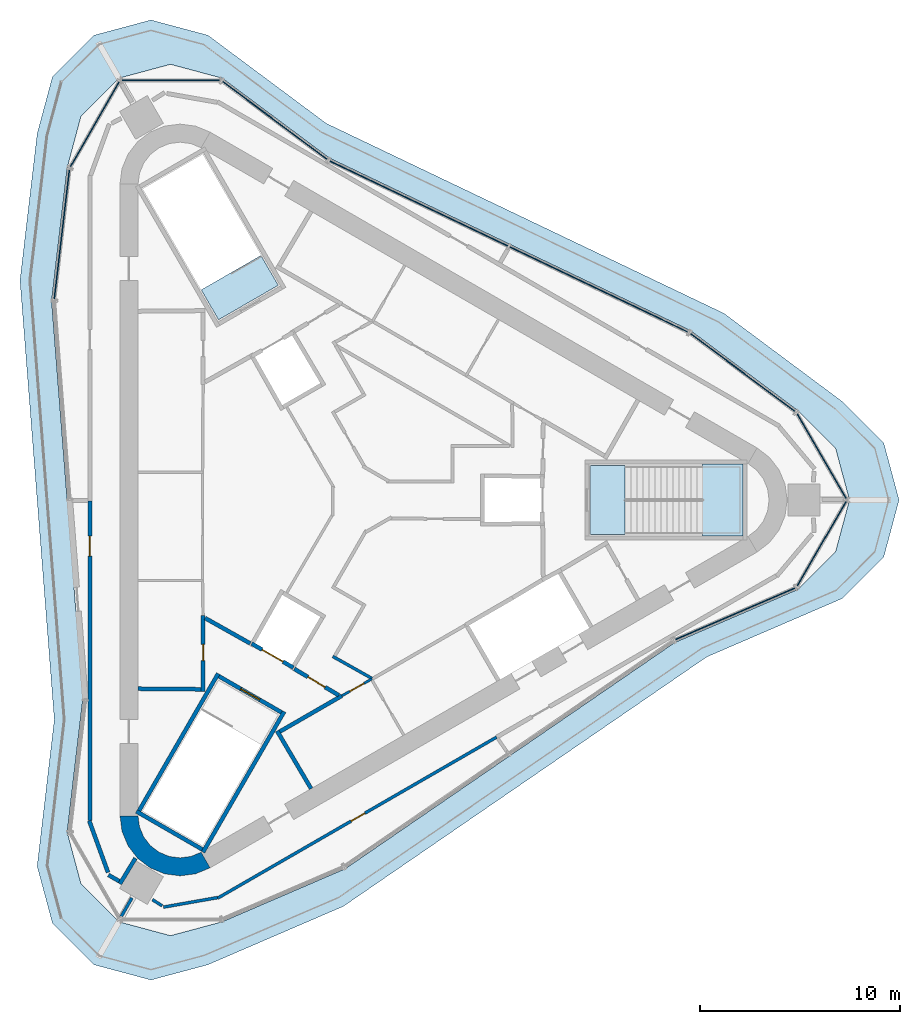
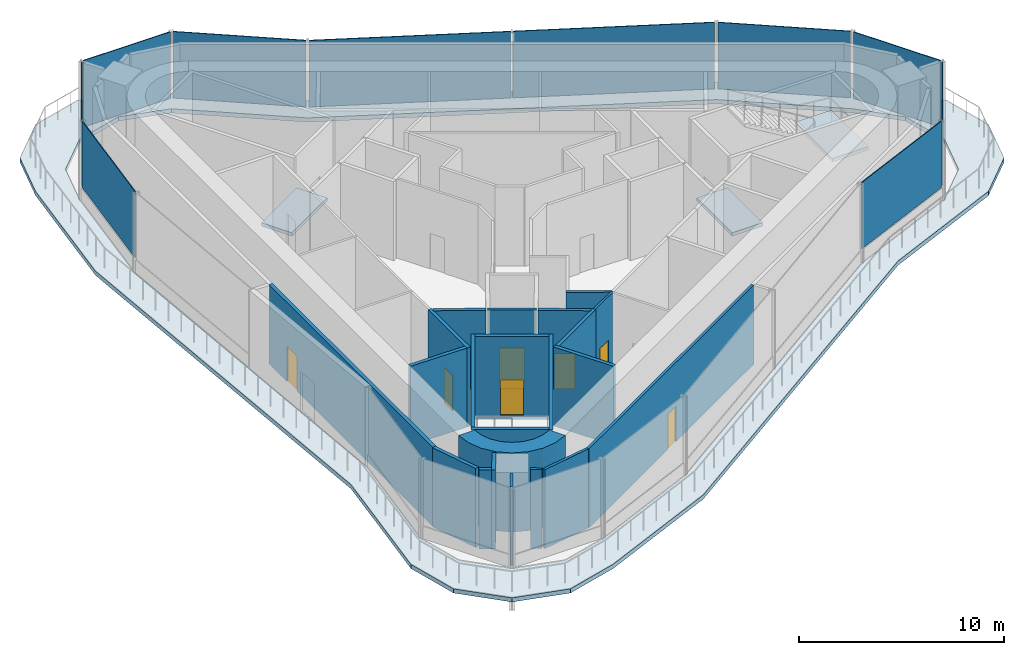
# One storey, part 3 of 8: 22 walls, 10 plates, 7 doors, 4 slabs, 7 openings, 10 elements without a shape of their own.
"""IFC4 building model written with IfcOpenShell, lengths in metres."""

from ifc_helpers import new_model, si_unit, direction, frame, frame_2d, origin, origin_2d, place, context, subcontext, project, spatial, polyline, rectangle, outline, extrude, material, layer, layer_set, type_object, element, fill, aggregate, save


model = new_model("IFC4")

# Units and contexts
model_context = context("Model", 3, precision=1e-05, world=origin(), true_north=direction((0.0, 1.0)))
body_context = subcontext(model_context, "Body", "Model", "MODEL_VIEW")
ifc_project = project(units=[si_unit("LENGTHUNIT", "METRE"), si_unit("AREAUNIT", "SQUARE_METRE"), si_unit("VOLUMEUNIT", "CUBIC_METRE"), si_unit("PLANEANGLEUNIT", "RADIAN"), si_unit("MASSUNIT", "GRAM", prefix="KILO")], contexts=[model_context])

# Site, building, storey
site_placement = place(None, origin())
site = spatial("IfcSite", under=ifc_project, at=site_placement, CompositionType="ELEMENT")
building_placement = place(site_placement, origin())
building = spatial("IfcBuilding", under=site, at=building_placement, Name="Tanit Gate Tower", CompositionType="ELEMENT")
storey_placement = place(building_placement, frame((0.0, 0.0, 440.300048828125)))
storey = spatial("IfcBuildingStorey", under=building, at=storey_placement, Name="L99", CompositionType="ELEMENT", Elevation=440.300048828125)

# Stair, slab
ifc_material_1 = material(Name="Concrete C40/50", Category="concrete")
stair_type = type_object("IfcStairType", Name="INT-STAIR-EXIT", PredefinedType="HALF_TURN_STAIR", material=ifc_material_1)
stair_placement = place(storey_placement, origin())
stair = element("IfcStair", 1, at=stair_placement, inside=storey, type_object=stair_type, Name="L99 STAIR S1", PredefinedType="HALF_TURN_STAIR")
ifc_material_2 = material(Name="Concrete C40/50", Category="concrete")
ifc_layer_1 = layer(ifc_material_2, 0.199951171875)
ifc_layer_set_1 = layer_set([ifc_layer_1], Name="INT-STAIR-LANDING")
slab_type_1 = type_object("IfcSlabType", Name="INT-STAIR-LANDING", PredefinedType="LANDING", material=ifc_layer_set_1)
slab_1_placement = place(storey_placement, frame((0.0, 0.0, 2.300048828125)))
slab_1 = element("IfcSlab", 2, at=slab_1_placement, type_object=slab_type_1, Name="S1 landing 1", PredefinedType="LANDING", context=body_context, shape_type="SweptSolid", body=[
    extrude(outline(polyline([(16.985107421875, -1.800048828125), (19.0, -1.800048828125), (19.0, 1.800048828125), (16.985107421875, 1.800048828125), (16.985107421875, -1.800048828125)])), origin(), (0.0, 0.0, 1.0), 0.199951171875),
])
aggregate(stair, [slab_1])

# Slabs
slab_2_placement = place(storey_placement, frame((0.0, 0.0, -0.199951171875)))
element("IfcSlab", 3, at=slab_2_placement, inside=storey, type_object=slab_type_1, Name="S1 floor landing", PredefinedType="LANDING", context=body_context, shape_type="SweptSolid", body=[
    extrude(outline(polyline([(11.3798828125, -1.719970703125), (13.10498046875, -1.719970703125), (13.10498046875, 1.719970703125), (11.3798828125, 1.719970703125), (11.3798828125, -1.719970703125)])), origin(), (0.0, 0.0, 1.0), 0.199951171875),
])
slab_3_placement = place(storey_placement, frame((0.0, 0.0, -0.199951171875)))
element("IfcSlab", 4, at=slab_3_placement, inside=storey, type_object=slab_type_1, Name="S2 floor landing", PredefinedType="LANDING", context=body_context, shape_type="SweptSolid", body=[
    extrude(outline(polyline([(-4.200439453125, 10.71533203125), (-5.0625, 12.20849609375), (-8.04150390625, 10.48828125), (-7.179443359375, 8.995361328125), (-4.200439453125, 10.71533203125)])), origin(), (0.0, 0.0, 1.0), 0.199951171875),
])

# Curtain wall, plate
ifc_material_3 = material(Name="Aluminium bronze anodised and glass", Category="aluminium")
curtain_wall_type = type_object("IfcCurtainWallType", Name="Curtain wall plant screen", PredefinedType="NOTDEFINED", material=ifc_material_3)
curtain_wall_1_placement = place(storey_placement, origin())
curtain_wall_1 = element("IfcCurtainWall", 5, at=curtain_wall_1_placement, inside=storey, type_object=curtain_wall_type, Name="Curtain wall L99 NE1", PredefinedType="NOTDEFINED")
ifc_material_4 = material(Name="Aluminium bronze anodised louvre", Category="aluminium")
ifc_layer_2 = layer(ifc_material_4, 0.050048828125)
ifc_layer_set_2 = layer_set([ifc_layer_2], Name="Louvre panel 50 plant screen")
plate_type = type_object("IfcPlateType", Name="Louvre panel 50 plant screen", PredefinedType="CURTAIN_PANEL", material=ifc_layer_set_2)
plate_1_placement = place(storey_placement, frame((18.9833984375, 6.3642578125, 0.75), z_axis=(0.0, 0.0, 1.0), x_axis=(-0.801987717098, 0.59734052401, 0.0)))
plate_1 = element("IfcPlate", 6, at=plate_1_placement, type_object=plate_type, Name="Louvre panel L99 NE1.1", PredefinedType="CURTAIN_PANEL", context=body_context, shape_type="SweptSolid", body=[
    extrude(rectangle(XDim=6.5, YDim=0.050048828125, at=origin_2d()), origin(), (0.0, 0.0, 1.0), 3.949951171875),
])
aggregate(curtain_wall_1, [plate_1])

# Curtain wall, plates
curtain_wall_2_placement = place(storey_placement, origin())
curtain_wall_2 = element("IfcCurtainWall", 7, at=curtain_wall_2_placement, inside=storey, type_object=curtain_wall_type, Name="Curtain wall L99 NE2", PredefinedType="NOTDEFINED")
plate_2_placement = place(storey_placement, frame((11.79052734375, 10.513671875, 0.75), z_axis=(0.0, 0.0, 1.0), x_axis=(-0.902317145415, 0.431072811819, 0.0)))
plate_2 = element("IfcPlate", 8, at=plate_2_placement, type_object=plate_type, Name="Louvre panel L99 NE2.1", PredefinedType="CURTAIN_PANEL", context=body_context, shape_type="SweptSolid", body=[
    extrude(rectangle(XDim=9.863037109375, YDim=0.050048828125, at=origin_2d()), origin(), (0.0, 0.0, 1.0), 3.949951171875),
])
plate_3_placement = place(storey_placement, frame((2.81884765625, 14.7998046875, 0.75), z_axis=(0.0, 0.0, 1.0), x_axis=(-0.902317145415, 0.431072811819, 0.0)))
plate_3 = element("IfcPlate", 9, at=plate_3_placement, type_object=plate_type, Name="Louvre panel L99 NE2.2", PredefinedType="CURTAIN_PANEL", context=body_context, shape_type="SweptSolid", body=[
    extrude(rectangle(XDim=9.863037109375, YDim=0.050048828125, at=origin_2d()), origin(), (0.0, 0.0, 1.0), 3.949951171875),
])
aggregate(curtain_wall_2, [plate_2, plate_3])

# Curtain wall, plate
curtain_wall_3_placement = place(storey_placement, origin())
curtain_wall_3 = element("IfcCurtainWall", 10, at=curtain_wall_3_placement, inside=storey, type_object=curtain_wall_type, Name="Curtain wall L99 NE3", PredefinedType="NOTDEFINED")
plate_4_placement = place(storey_placement, frame((-4.37744140625, 18.9521484375, 0.75), z_axis=(0.0, 0.0, 1.0), x_axis=(-0.801987717098, 0.59734052401, 0.0)))
plate_4 = element("IfcPlate", 11, at=plate_4_placement, type_object=plate_type, Name="Louvre panel L99 NE3.1", PredefinedType="CURTAIN_PANEL", context=body_context, shape_type="SweptSolid", body=[
    extrude(rectangle(XDim=6.50927734375, YDim=0.050048828125, at=origin_2d()), origin(), (0.0, 0.0, 1.0), 3.949951171875),
])
aggregate(curtain_wall_3, [plate_4])

curtain_wall_4_placement = place(storey_placement, origin())
curtain_wall_4 = element("IfcCurtainWall", 12, at=curtain_wall_4_placement, inside=storey, type_object=curtain_wall_type, Name="Curtain wall L99 NW.arc1", PredefinedType="NOTDEFINED")
plate_5_placement = place(storey_placement, frame((-9.57275390625, 20.9453125, 0.75), z_axis=(0.0, 0.0, 1.0), x_axis=(-0.99999988904, 0.000471083302, 0.0)))
plate_5 = element("IfcPlate", 13, at=plate_5_placement, type_object=plate_type, Name="Louvre panel L99 NW.arc1.1", PredefinedType="CURTAIN_PANEL", context=body_context, shape_type="SweptSolid", body=[
    extrude(rectangle(XDim=4.881591796875, YDim=0.050048828125, at=origin_2d()), origin(), (0.0, 0.0, 1.0), 3.949951171875),
])
aggregate(curtain_wall_4, [plate_5])

curtain_wall_5_placement = place(storey_placement, origin())
curtain_wall_5 = element("IfcCurtainWall", 14, at=curtain_wall_5_placement, inside=storey, type_object=curtain_wall_type, Name="Curtain wall L99 NW.arc2", PredefinedType="NOTDEFINED")
plate_6_placement = place(storey_placement, frame((-13.354736328125, 18.755859375, 0.75), z_axis=(0.0, 0.0, 1.0), x_axis=(-0.498960988441, -0.866624446929, 0.0)))
plate_6 = element("IfcPlate", 15, at=plate_6_placement, type_object=plate_type, Name="Louvre panel L99 NW.arc2.1", PredefinedType="CURTAIN_PANEL", context=body_context, shape_type="SweptSolid", body=[
    extrude(rectangle(XDim=4.895263671875, YDim=0.050048828125, at=origin_2d()), origin(), (0.0, 0.0, 1.0), 3.949951171875),
])
aggregate(curtain_wall_5, [plate_6])

curtain_wall_6_placement = place(storey_placement, origin())
curtain_wall_6 = element("IfcCurtainWall", 16, at=curtain_wall_6_placement, inside=storey, type_object=curtain_wall_type, Name="Curtain wall L99 W1", PredefinedType="NOTDEFINED")
plate_7_placement = place(storey_placement, frame((-15.003173828125, 13.2578125, 0.75), z_axis=(0.0, 0.0, 1.0), x_axis=(-0.116318209953, -0.993211998535, 0.0)))
plate_7 = element("IfcPlate", 17, at=plate_7_placement, type_object=plate_type, Name="Louvre panel L99 W1.1", PredefinedType="CURTAIN_PANEL", context=body_context, shape_type="SweptSolid", body=[
    extrude(rectangle(XDim=6.5, YDim=0.050048828125, at=origin_2d()), origin(), (0.0, 0.0, 1.0), 3.949951171875),
])
aggregate(curtain_wall_6, [plate_7])

curtain_wall_7_placement = place(storey_placement, origin())
curtain_wall_7 = element("IfcCurtainWall", 18, at=curtain_wall_7_placement, inside=storey, type_object=curtain_wall_type, Name="Curtain wall L99 SE3", PredefinedType="NOTDEFINED")
plate_8_placement = place(storey_placement, frame((18.601806640625, -5.68505859375, 0.75), z_axis=(0.0, 0.0, 1.0), x_axis=(0.918305927051, 0.395871474525, 0.0)))
plate_8 = element("IfcPlate", 19, at=plate_8_placement, type_object=plate_type, Name="Louvre panel L99 SE3.1", PredefinedType="CURTAIN_PANEL", context=body_context, shape_type="SweptSolid", body=[
    extrude(rectangle(XDim=6.50927734375, YDim=0.050048828125, at=origin_2d()), origin(), (0.0, 0.0, 1.0), 3.949951171875),
])
aggregate(curtain_wall_7, [plate_8])

curtain_wall_8_placement = place(storey_placement, origin())
curtain_wall_8 = element("IfcCurtainWall", 20, at=curtain_wall_8_placement, inside=storey, type_object=curtain_wall_type, Name="Curtain wall L99 E.arc1", PredefinedType="NOTDEFINED")
plate_9_placement = place(storey_placement, frame((22.925537109375, -2.182373046875, 0.75), z_axis=(0.0, 0.0, 1.0), x_axis=(0.500407914627, 0.865789766039, 0.0)))
plate_9 = element("IfcPlate", 21, at=plate_9_placement, type_object=plate_type, Name="Louvre panel L99 E.arc1.1", PredefinedType="CURTAIN_PANEL", context=body_context, shape_type="SweptSolid", body=[
    extrude(rectangle(XDim=4.881591796875, YDim=0.050048828125, at=origin_2d()), origin(), (0.0, 0.0, 1.0), 3.949951171875),
])
aggregate(curtain_wall_8, [plate_9])

curtain_wall_9_placement = place(storey_placement, origin())
curtain_wall_9 = element("IfcCurtainWall", 22, at=curtain_wall_9_placement, inside=storey, type_object=curtain_wall_type, Name="Curtain wall L99 E.arc2", PredefinedType="NOTDEFINED")
plate_10_placement = place(storey_placement, frame((22.92041015625, 2.1875, 0.75), z_axis=(0.0, 0.0, 1.0), x_axis=(-0.50103829236, 0.865425114951, 0.0)))
plate_10 = element("IfcPlate", 23, at=plate_10_placement, type_object=plate_type, Name="Louvre panel L99 E.arc2.1", PredefinedType="CURTAIN_PANEL", context=body_context, shape_type="SweptSolid", body=[
    extrude(rectangle(XDim=4.895263671875, YDim=0.050048828125, at=origin_2d()), origin(), (0.0, 0.0, 1.0), 3.949951171875),
])
aggregate(curtain_wall_9, [plate_10])

# Slab
ifc_material_5 = material(Name="Concrete C35/45", Category="concrete")
ifc_layer_3 = layer(ifc_material_5, 0.25)
ifc_layer_set_3 = layer_set([ifc_layer_3], Name="TERRACE SLAB 250 C35/45")
slab_type_2 = type_object("IfcSlabType", Name="TERRACE SLAB 250 C35/45", PredefinedType="FLOOR", material=ifc_layer_set_3)
slab_4_placement = place(storey_placement, frame((0.0, 0.0, -0.25)))
element("IfcSlab", 24, at=slab_4_placement, inside=storey, type_object=slab_type_2, Name="TERRACE SLAB L99", PredefinedType="FLOOR", context=body_context, shape_type="SweptSolid", body=[
    extrude(outline(polyline([(26.02490234375, 2.8408203125), (26.7861328125, 0.0), (26.02490234375, -2.8408203125), (23.945068359375, -4.920654296875), (17.185791015625, -7.83447265625), (-0.951904296875, -20.283447265625), (-7.711181640625, -23.197509765625), (-10.552001953125, -23.95849609375), (-13.39306640625, -23.197509765625), (-15.47265625, -21.11767578125), (-16.23388671875, -18.276611328125), (-15.377685546875, -10.966064453125), (-17.090087890625, 10.966064453125), (-16.23388671875, 18.276611328125), (-15.47265625, 21.11767578125), (-13.39306640625, 23.197509765625), (-10.552001953125, 23.95849609375), (-7.711181640625, 23.197509765625), (-1.80810546875, 18.800537109375), (18.0419921875, 9.3173828125), (23.945068359375, 4.920654296875), (26.02490234375, 2.8408203125)]), holes=[polyline([(16.375, 8.45654296875), (-1.640869140625, 17.0634765625), (-6.99853515625, 21.053955078125), (-9.5771484375, 21.744873046875), (-12.155517578125, 21.053955078125), (-14.043212890625, 19.16650390625), (-14.73388671875, 16.587890625), (-15.510986328125, 9.952880859375), (-13.956787109375, -9.952880859375), (-14.73388671875, -16.587890625), (-14.043212890625, -19.16650390625), (-12.155517578125, -21.053955078125), (-9.5771484375, -21.744873046875), (-6.99853515625, -21.053955078125), (-0.864013671875, -18.409423828125), (15.597900390625, -7.110595703125), (21.732666015625, -4.466064453125), (23.6201171875, -2.578369140625), (24.31103515625, 0.0), (23.6201171875, 2.578369140625), (21.732666015625, 4.466064453125), (16.375, 8.45654296875)])]), origin(), (0.0, 0.0, 1.0), 0.25),
])

# Wall
ifc_material_6 = material(Name="Concrete C40/50", Category="concrete")
ifc_layer_4 = layer(ifc_material_6, 0.89990234375)
ifc_layer_set_4 = layer_set([ifc_layer_4], Name="CORE WALL 900 C40/50")
wall_type_1 = type_object("IfcWallType", Name="CORE WALL 900 C40/50", PredefinedType="SHEAR", material=ifc_layer_set_4)
wall_1_placement = place(storey_placement, origin())
element("IfcWall", 25, at=wall_1_placement, inside=storey, type_object=wall_type_1, Name="CORE WALL CORNER", PredefinedType="SHEAR", context=body_context, shape_type="SweptSolid", body=[
    extrude(outline(polyline([(-12.10009765625, -15.76171875), (-11.997802734375, -16.5380859375), (-11.697998046875, -17.26171875), (-11.22119140625, -17.883056640625), (-10.60009765625, -18.359619140625), (-9.87646484375, -18.659423828125), (-9.10009765625, -18.76171875), (-8.323486328125, -18.659423828125), (-7.60009765625, -18.359619140625), (-8.050048828125, -17.580322265625), (-8.556396484375, -17.7900390625), (-9.10009765625, -17.86181640625), (-9.6435546875, -17.7900390625), (-10.14990234375, -17.580322265625), (-10.5849609375, -17.24658203125), (-10.918701171875, -16.811767578125), (-11.12841796875, -16.30517578125), (-11.199951171875, -15.76171875), (-12.10009765625, -15.76171875)])), origin(), (0.0, 0.0, 1.0), 4.699951171875),
])

# Wall, opening, door
ifc_material_7 = material(Name="Fire-rated gypsum board partition")
ifc_layer_5 = layer(ifc_material_7, 0.199951171875)
ifc_layer_set_5 = layer_set([ifc_layer_5], Name="INT-WALL-COMPARTMENT")
wall_type_2 = type_object("IfcWallType", Name="INT-WALL-COMPARTMENT", PredefinedType="PARTITIONING", material=ifc_layer_set_5)
wall_2_placement = place(storey_placement, frame((-7.949951171875, -9.550048828125, 0.0), z_axis=(0.0, 0.0, 1.0), x_axis=(0.0, 1.0, 0.0)))
wall_2 = element("IfcWall", 26, at=wall_2_placement, inside=storey, type_object=wall_type_2, Name="Wall Compartment W039", PredefinedType="PARTITIONING", context=body_context, shape_type="SweptSolid", body=[
    extrude(rectangle(XDim=3.777587890625, YDim=0.199951171875, at=frame_2d((1.888671875, 0.0))), origin(), (0.0, 0.0, 1.0), 4.699951171875),
])
opening_1_placement = place(wall_2_placement, frame((1.538818359375, 0.0, 0.0)))
opening_1 = element("IfcOpeningElement", 27, at=opening_1_placement, cuts=wall_2, Name="Opening R08-99-16", PredefinedType="OPENING", context=body_context, shape_type="SweptSolid", body=[
    extrude(rectangle(XDim=0.800048828125, YDim=2.10009765625, at=frame_2d((0.39990234375, 1.050048828125))), frame((0.0, 0.10986328125, 0.0), z_axis=(0.0, -1.0, 0.0), x_axis=(1.0, 0.0, 0.0)), (0.0, 0.0, 1.0), 0.219970703125),
])
ifc_material_8 = material(Name="Timber door leaf", Category="wood")
door_type_1 = type_object("IfcDoorType", Name="INT-DOOR-RISER-800", OperationType="NOTDEFINED", PredefinedType="USERDEFINED", material=ifc_material_8)
door_1_placement = place(opening_1_placement, origin())
door_1 = element("IfcDoor", 28, at=door_1_placement, inside=storey, type_object=door_type_1, Name="Door R08-99-16", ObjectType="FIRE DOOR", OperationType="SINGLE_SWING_LEFT", OverallHeight=2.10009765625, OverallWidth=0.800048828125, PredefinedType="USERDEFINED", context=body_context, shape_type="SweptSolid", body=[
    extrude(rectangle(XDim=0.800048828125, YDim=2.10009765625, at=frame_2d((0.39990234375, 1.050048828125))), frame((0.0, 0.02490234375, 0.0), z_axis=(0.0, -1.0, 0.0), x_axis=(1.0, 0.0, 0.0)), (0.0, 0.0, 1.0), 0.050048828125),
])
fill(opening_1, door_1)

# Walls
wall_3_placement = place(storey_placement, frame((-11.199951171875, -9.419921875, 0.0), z_axis=(0.0, 0.0, 1.0), x_axis=(0.999957467379, -0.009222983926, 0.0)))
element("IfcWall", 29, at=wall_3_placement, inside=storey, type_object=wall_type_2, Name="Wall Compartment W040", PredefinedType="PARTITIONING", context=body_context, shape_type="SweptSolid", body=[
    extrude(rectangle(XDim=3.150146484375, YDim=0.199951171875, at=frame_2d((1.5751953125, 0.0))), origin(), (0.0, 0.0, 1.0), 4.699951171875),
])
wall_4_placement = place(storey_placement, frame((-4.259765625, -11.523681640625, 0.0), z_axis=(0.0, 0.0, 1.0), x_axis=(0.507997497166, -0.861358544901, 0.0)))
element("IfcWall", 30, at=wall_4_placement, inside=storey, type_object=wall_type_2, Name="Wall Compartment W053", PredefinedType="PARTITIONING", context=body_context, shape_type="SweptSolid", body=[
    extrude(rectangle(XDim=3.350341796875, YDim=0.199951171875, at=frame_2d((1.67529296875, 0.0))), origin(), (0.0, 0.0, 1.0), 4.699951171875),
])
wall_5_placement = place(storey_placement, frame((-1.02392578125, -9.77099609375, 0.0), z_axis=(0.0, 0.0, 1.0), x_axis=(-0.866029903013, -0.499992207027, 0.0)))
element("IfcWall", 31, at=wall_5_placement, inside=storey, type_object=wall_type_2, Name="Wall Compartment W054", PredefinedType="PARTITIONING", context=body_context, shape_type="SweptSolid", body=[
    extrude(rectangle(XDim=3.57763671875, YDim=0.199951171875, at=frame_2d((1.788818359375, 0.0))), origin(), (0.0, 0.0, 1.0), 4.699951171875),
])
wall_6_placement = place(storey_placement, frame((-7.85009765625, -5.893310546875, 0.0), z_axis=(0.0, 0.0, 1.0), x_axis=(0.871350695252, -0.490660744185, 0.0)))
element("IfcWall", 32, at=wall_6_placement, inside=storey, type_object=wall_type_2, Name="Wall Compartment W063", PredefinedType="PARTITIONING", context=body_context, shape_type="SweptSolid", body=[
    extrude(rectangle(XDim=2.58203125, YDim=0.199951171875, at=frame_2d((1.291015625, 0.0))), origin(), (0.0, 0.0, 1.0), 4.699951171875),
])

# Wall, opening, door
wall_7_placement = place(storey_placement, frame((-3.400634765625, -8.43017578125, 0.0), z_axis=(0.0, 0.0, 1.0), x_axis=(0.860630814782, -0.509229418482, 0.0)))
wall_7 = element("IfcWall", 33, at=wall_7_placement, inside=storey, type_object=wall_type_2, Name="Wall Compartment W064", PredefinedType="PARTITIONING", context=body_context, shape_type="SweptSolid", body=[
    extrude(rectangle(XDim=2.581787109375, YDim=0.199951171875, at=frame_2d((1.291015625, 0.0))), origin(), (0.0, 0.0, 1.0), 4.699951171875),
])
opening_2_placement = place(wall_7_placement, frame((0.791015625, 0.0, 0.0)))
opening_2 = element("IfcOpeningElement", 34, at=opening_2_placement, cuts=wall_7, Name="Opening F10-99-08", PredefinedType="OPENING", context=body_context, shape_type="SweptSolid", body=[
    extrude(rectangle(XDim=1.0, YDim=2.10009765625, at=frame_2d((0.5, 1.050048828125))), frame((0.0, 0.10986328125, 0.0), z_axis=(0.0, -1.0, 0.0), x_axis=(1.0, 0.0, 0.0)), (0.0, 0.0, 1.0), 0.219970703125),
])
ifc_material_9 = material(Name="Fire-rated steel door leaf", Category="steel")
door_type_2 = type_object("IfcDoorType", Name="INT-DOOR-FIRE-1000", OperationType="NOTDEFINED", PredefinedType="USERDEFINED", material=ifc_material_9)
door_2_placement = place(opening_2_placement, origin())
door_2 = element("IfcDoor", 35, at=door_2_placement, inside=storey, type_object=door_type_2, Name="Door F10-99-08", ObjectType="FIRE DOOR", OperationType="SINGLE_SWING_LEFT", OverallHeight=2.10009765625, OverallWidth=1.0, PredefinedType="USERDEFINED", context=body_context, shape_type="SweptSolid", body=[
    extrude(rectangle(XDim=1.0, YDim=2.10009765625, at=frame_2d((0.5, 1.050048828125))), frame((0.0, 0.02490234375, 0.0), z_axis=(0.0, -1.0, 0.0), x_axis=(1.0, 0.0, 0.0)), (0.0, 0.0, 1.0), 0.050048828125),
])
fill(opening_2, door_2)

# Walls
wall_8_placement = place(storey_placement, frame((-12.104248046875, -19.1611328125, 0.0), z_axis=(0.0, 0.0, 1.0), x_axis=(0.518475368733, 0.855092563421, 0.0)))
element("IfcWall", 36, at=wall_8_placement, inside=storey, type_object=wall_type_2, Name="Wall Compartment W086", PredefinedType="PARTITIONING", context=body_context, shape_type="SweptSolid", body=[
    extrude(rectangle(XDim=1.49560546875, YDim=0.199951171875, at=frame_2d((0.747802734375, 0.0))), origin(), (0.0, 0.0, 1.0), 4.699951171875),
])
wall_9_placement = place(storey_placement, frame((-12.674560546875, -18.716552734375, 0.0), z_axis=(0.0, 0.0, 1.0), x_axis=(0.866047486323, -0.49996174997, 0.0)))
element("IfcWall", 37, at=wall_9_placement, inside=storey, type_object=wall_type_2, Name="Wall Compartment W087", PredefinedType="PARTITIONING", context=body_context, shape_type="SweptSolid", body=[
    extrude(rectangle(XDim=0.6181640625, YDim=0.199951171875, at=frame_2d((0.30908203125, 0.0))), origin(), (0.0, 0.0, 1.0), 4.699951171875),
])
wall_10_placement = place(storey_placement, frame((-13.63427734375, -16.011474609375, 0.0), z_axis=(0.0, 0.0, 1.0), x_axis=(0.342043269434, -0.939684203248, 0.0)))
element("IfcWall", 38, at=wall_10_placement, inside=storey, type_object=wall_type_2, Name="Wall Compartment W088", PredefinedType="PARTITIONING", context=body_context, shape_type="SweptSolid", body=[
    extrude(rectangle(XDim=2.7421875, YDim=0.199951171875, at=frame_2d((1.37109375, 0.0))), origin(), (0.0, 0.0, 1.0), 4.699951171875),
])

# Wall, opening, door
wall_11_placement = place(storey_placement, frame((-13.60009765625, -0.050048828125, 0.0), z_axis=(0.0, 0.0, 1.0), x_axis=(0.0, -1.0, 0.0)))
wall_11 = element("IfcWall", 39, at=wall_11_placement, inside=storey, type_object=wall_type_2, Name="Wall Compartment W089", PredefinedType="PARTITIONING", context=body_context, shape_type="SweptSolid", body=[
    extrude(rectangle(XDim=15.95556640625, YDim=0.199951171875, at=frame_2d((7.977783203125, 0.0))), origin(), (0.0, 0.0, 1.0), 4.699951171875),
])
opening_3_placement = place(wall_11_placement, frame((1.75, 0.0, 0.0)))
opening_3 = element("IfcOpeningElement", 40, at=opening_3_placement, cuts=wall_11, Name="Opening F10-99-24", PredefinedType="OPENING", context=body_context, shape_type="SweptSolid", body=[
    extrude(rectangle(XDim=1.0, YDim=2.10009765625, at=frame_2d((0.5, 1.050048828125))), frame((0.0, 0.10986328125, 0.0), z_axis=(0.0, -1.0, 0.0), x_axis=(1.0, 0.0, 0.0)), (0.0, 0.0, 1.0), 0.219970703125),
])
door_3_placement = place(opening_3_placement, origin())
door_3 = element("IfcDoor", 41, at=door_3_placement, inside=storey, type_object=door_type_2, Name="Door F10-99-24", ObjectType="FIRE DOOR", OperationType="SINGLE_SWING_RIGHT", OverallHeight=2.10009765625, OverallWidth=1.0, PredefinedType="USERDEFINED", context=body_context, shape_type="SweptSolid", body=[
    extrude(rectangle(XDim=1.0, YDim=2.10009765625, at=frame_2d((0.5, 1.050048828125))), frame((0.0, 0.02490234375, 0.0), z_axis=(0.0, -1.0, 0.0), x_axis=(1.0, 0.0, 0.0)), (0.0, 0.0, 1.0), 0.050048828125),
])
fill(opening_3, door_3)

ifc_material_10 = material(Name="Gypsum board partition")
ifc_layer_6 = layer(ifc_material_10, 0.1201171875)
ifc_layer_set_6 = layer_set([ifc_layer_6], Name="INT-WALL-PARTITION")
wall_type_3 = type_object("IfcWallType", Name="INT-WALL-PARTITION", PredefinedType="PARTITIONING", material=ifc_layer_set_6)
wall_12_placement = place(storey_placement, frame((0.478271484375, -8.928466796875, 0.0), z_axis=(0.0, 0.0, 1.0), x_axis=(-0.871968924608, -0.489561226527, 0.0)))
wall_12 = element("IfcWall", 42, at=wall_12_placement, inside=storey, type_object=wall_type_3, Name="Wall Partition W055", PredefinedType="PARTITIONING", context=body_context, shape_type="SweptSolid", body=[
    extrude(rectangle(XDim=1.722412109375, YDim=0.1201171875, at=frame_2d((0.861328125, 0.0))), origin(), (0.0, 0.0, 1.0), 4.699951171875),
])
opening_4_placement = place(wall_12_placement, frame((0.461181640625, 0.0, 0.0)))
opening_4 = element("IfcOpeningElement", 43, at=opening_4_placement, cuts=wall_12, Name="Opening R08-99-20", PredefinedType="OPENING", context=body_context, shape_type="SweptSolid", body=[
    extrude(rectangle(XDim=0.800048828125, YDim=2.10009765625, at=frame_2d((0.39990234375, 1.050048828125))), frame((0.0, 0.070068359375, 0.0), z_axis=(0.0, -1.0, 0.0), x_axis=(1.0, 0.0, 0.0)), (0.0, 0.0, 1.0), 0.14013671875),
])
door_4_placement = place(opening_4_placement, origin())
door_4 = element("IfcDoor", 44, at=door_4_placement, inside=storey, type_object=door_type_1, Name="Door R08-99-20", ObjectType="FIRE DOOR", OperationType="SINGLE_SWING_RIGHT", OverallHeight=2.10009765625, OverallWidth=0.800048828125, PredefinedType="USERDEFINED", context=body_context, shape_type="SweptSolid", body=[
    extrude(rectangle(XDim=0.800048828125, YDim=2.10009765625, at=frame_2d((0.39990234375, 1.050048828125))), frame((0.0, 0.02490234375, 0.0), z_axis=(0.0, -1.0, 0.0), x_axis=(1.0, 0.0, 0.0)), (0.0, 0.0, 1.0), 0.050048828125),
])
fill(opening_4, door_4)

# Walls
ifc_material_11 = material(Name="Fire-rated gypsum board partition")
ifc_layer_7 = layer(ifc_material_11, 0.14990234375)
ifc_layer_set_7 = layer_set([ifc_layer_7], Name="INT-WALL-RISER")
wall_type_4 = type_object("IfcWallType", Name="INT-WALL-RISER", PredefinedType="PLUMBINGWALL", material=ifc_layer_set_7)
wall_13_placement = place(storey_placement, frame((-1.47705078125, -7.808349609375, 0.0), z_axis=(0.0, 0.0, 1.0), x_axis=(0.871822901869, -0.48982122022, 0.0)))
element("IfcWall", 45, at=wall_13_placement, inside=storey, type_object=wall_type_4, Name="Wall Riser W068", PredefinedType="PLUMBINGWALL", context=body_context, shape_type="SweptSolid", body=[
    extrude(rectangle(XDim=2.239501953125, YDim=0.14990234375, at=frame_2d((1.11962890625, 0.0))), origin(), (0.0, 0.0, 1.0), 4.699951171875),
])
wall_14_placement = place(storey_placement, frame((-11.50146484375, -19.861083984375, 0.0), z_axis=(0.0, 0.0, 1.0), x_axis=(-0.500107244371, -0.865963477364, 0.0)))
element("IfcWall", 46, at=wall_14_placement, inside=storey, type_object=wall_type_4, Name="Wall Riser W094", PredefinedType="PLUMBINGWALL", context=body_context, shape_type="SweptSolid", body=[
    extrude(rectangle(XDim=1.098388671875, YDim=0.14990234375, at=frame_2d((0.54931640625, 0.0))), origin(), (0.0, 0.0, 1.0), 4.699951171875),
])

# Wall, opening, door
wall_15_placement = place(storey_placement, frame((-7.212646484375, -19.8681640625, 0.0), z_axis=(0.0, 0.0, 1.0), x_axis=(0.866026120779, 0.499998758127, 0.0)))
wall_15 = element("IfcWall", 47, at=wall_15_placement, inside=storey, type_object=wall_type_4, Name="Wall Riser W104", PredefinedType="PLUMBINGWALL", context=body_context, shape_type="SweptSolid", body=[
    extrude(rectangle(XDim=16.06201171875, YDim=0.14990234375, at=frame_2d((8.031005859375, 0.0))), origin(), (0.0, 0.0, 1.0), 4.699951171875),
])
opening_5_placement = place(wall_15_placement, frame((7.675048828125, 0.0, 0.0)))
opening_5 = element("IfcOpeningElement", 48, at=opening_5_placement, cuts=wall_15, Name="Opening R08-99-28", PredefinedType="OPENING", context=body_context, shape_type="SweptSolid", body=[
    extrude(rectangle(XDim=0.800048828125, YDim=2.10009765625, at=frame_2d((0.39990234375, 1.050048828125))), frame((0.0, 0.0849609375, 0.0), z_axis=(0.0, -1.0, 0.0), x_axis=(1.0, 0.0, 0.0)), (0.0, 0.0, 1.0), 0.169921875),
])
door_5_placement = place(opening_5_placement, origin())
door_5 = element("IfcDoor", 49, at=door_5_placement, inside=storey, type_object=door_type_1, Name="Door R08-99-28", ObjectType="FIRE DOOR", OperationType="SINGLE_SWING_LEFT", OverallHeight=2.10009765625, OverallWidth=0.800048828125, PredefinedType="USERDEFINED", context=body_context, shape_type="SweptSolid", body=[
    extrude(rectangle(XDim=0.800048828125, YDim=2.10009765625, at=frame_2d((0.39990234375, 1.050048828125))), frame((0.0, 0.02490234375, 0.0), z_axis=(0.0, -1.0, 0.0), x_axis=(1.0, 0.0, 0.0)), (0.0, 0.0, 1.0), 0.050048828125),
])
fill(opening_5, door_5)

# Walls
wall_16_placement = place(storey_placement, frame((-9.931884765625, -20.321533203125, 0.0), z_axis=(0.0, 0.0, 1.0), x_axis=(0.984813908974, 0.173613261856, 0.0)))
element("IfcWall", 50, at=wall_16_placement, inside=storey, type_object=wall_type_4, Name="Wall Riser W105", PredefinedType="PLUMBINGWALL", context=body_context, shape_type="SweptSolid", body=[
    extrude(rectangle(XDim=2.751953125, YDim=0.14990234375, at=frame_2d((1.3759765625, 0.0))), origin(), (0.0, 0.0, 1.0), 4.699951171875),
])
wall_17_placement = place(storey_placement, frame((-10.478759765625, -19.94970703125, 0.0), z_axis=(0.0, 0.0, 1.0), x_axis=(0.843309487859, -0.537428234917, 0.0)))
element("IfcWall", 51, at=wall_17_placement, inside=storey, type_object=wall_type_4, Name="Wall Riser W106", PredefinedType="PLUMBINGWALL", context=body_context, shape_type="SweptSolid", body=[
    extrude(rectangle(XDim=0.571533203125, YDim=0.14990234375, at=frame_2d((0.28564453125, 0.0))), origin(), (0.0, 0.0, 1.0), 4.699951171875),
])

# Wall, opening, door
ifc_material_12 = material(Name="Gypsum shaft wall system")
ifc_layer_8 = layer(ifc_material_12, 0.199951171875)
ifc_layer_set_8 = layer_set([ifc_layer_8], Name="INT-WALL-SHAFT")
wall_type_5 = type_object("IfcWallType", Name="INT-WALL-SHAFT", PredefinedType="PLUMBINGWALL", material=ifc_layer_set_8)
wall_18_placement = place(storey_placement, frame((-3.44580078125, -8.3681640625, 0.0), z_axis=(0.0, 0.0, 1.0), x_axis=(-0.866024647952, 0.500001309137, 0.0)))
wall_18 = element("IfcWall", 52, at=wall_18_placement, inside=storey, type_object=wall_type_5, Name="Wall Shaft W028", PredefinedType="PLUMBINGWALL", context=body_context, shape_type="SweptSolid", body=[
    extrude(rectangle(XDim=2.39990234375, YDim=0.199951171875, at=frame_2d((1.199951171875, 0.0))), origin(), (0.0, 0.0, 1.0), 4.699951171875),
])
opening_6_placement = place(wall_18_placement, frame((0.60009765625, 0.0, 0.0)))
opening_6 = element("IfcOpeningElement", 53, at=opening_6_placement, cuts=wall_18, Name="Opening LDFL3-L99", PredefinedType="OPENING", context=body_context, shape_type="SweptSolid", body=[
    extrude(rectangle(XDim=1.199951171875, YDim=2.39990234375, at=frame_2d((0.60009765625, 1.199951171875))), frame((0.0, 0.10986328125, 0.0), z_axis=(0.0, -1.0, 0.0), x_axis=(1.0, 0.0, 0.0)), (0.0, 0.0, 1.0), 0.219970703125),
])
ifc_material_13 = material(Name="Stainless steel sliding door leaf", Category="steel")
door_type_3 = type_object("IfcDoorType", Name="INT-DOOR-LANDING-1200", OperationType="NOTDEFINED", PredefinedType="USERDEFINED", material=ifc_material_13)
door_6_placement = place(opening_6_placement, origin())
door_6 = element("IfcDoor", 54, at=door_6_placement, inside=storey, type_object=door_type_3, Name="Door LDFL3-L99", ObjectType="LANDING DOOR", OperationType="SLIDING_TO_LEFT", OverallHeight=2.39990234375, OverallWidth=1.199951171875, PredefinedType="USERDEFINED", context=body_context, shape_type="SweptSolid", body=[
    extrude(rectangle(XDim=1.199951171875, YDim=2.39990234375, at=frame_2d((0.60009765625, 1.199951171875))), frame((0.0, 0.02490234375, 0.0), z_axis=(0.0, -1.0, 0.0), x_axis=(1.0, 0.0, 0.0)), (0.0, 0.0, 1.0), 0.050048828125),
])
fill(opening_6, door_6)

# Walls
ifc_material_14 = material(Name="Concrete C40/50", Category="concrete")
ifc_layer_9 = layer(ifc_material_14, 0.199951171875)
ifc_layer_set_9 = layer_set([ifc_layer_9], Name="INT-WALL-STAIR")
wall_type_6 = type_object("IfcWallType", Name="INT-WALL-STAIR", PredefinedType="SHEAR", material=ifc_layer_set_9)
wall_19_placement = place(storey_placement, frame((-3.904541015625, -10.56298828125, -0.25), z_axis=(0.0, 0.0, 1.0), x_axis=(-0.500012932018, -0.866017937352, 0.0)))
element("IfcWall", 55, at=wall_19_placement, inside=storey, type_object=wall_type_6, Name="Wall Stair W024", PredefinedType="SHEAR", context=body_context, shape_type="SweptSolid", body=[
    extrude(rectangle(XDim=8.099853515625, YDim=0.199951171875, at=frame_2d((4.0498046875, 0.0))), origin(), (0.0, 0.0, 1.0), 4.949951171875),
])
wall_20_placement = place(storey_placement, frame((-11.281982421875, -15.541015625, -0.25), z_axis=(0.0, 0.0, 1.0), x_axis=(0.866000483506, -0.500043160704, 0.0)))
element("IfcWall", 56, at=wall_20_placement, inside=storey, type_object=wall_type_6, Name="Wall Stair W025", PredefinedType="SHEAR", context=body_context, shape_type="SweptSolid", body=[
    extrude(rectangle(XDim=3.800048828125, YDim=0.199951171875, at=frame_2d((1.89990234375, 0.0))), origin(), (0.0, 0.0, 1.0), 4.949951171875),
])
wall_21_placement = place(storey_placement, frame((-7.195556640625, -8.662841796875, -0.25), z_axis=(0.0, 0.0, 1.0), x_axis=(-0.499997992926, -0.866026562566, 0.0)))
element("IfcWall", 57, at=wall_21_placement, inside=storey, type_object=wall_type_6, Name="Wall Stair W026", PredefinedType="SHEAR", context=body_context, shape_type="SweptSolid", body=[
    extrude(rectangle(XDim=7.89990234375, YDim=0.199951171875, at=frame_2d((3.949951171875, 0.0))), origin(), (0.0, 0.0, 1.0), 4.949951171875),
])

# Wall, opening, door
wall_22_placement = place(storey_placement, frame((-4.041259765625, -10.599365234375, -0.25), z_axis=(0.0, 0.0, 1.0), x_axis=(-0.866047807691, 0.499961193289, 0.0)))
wall_22 = element("IfcWall", 58, at=wall_22_placement, inside=storey, type_object=wall_type_6, Name="Wall Stair W027", PredefinedType="SHEAR", context=body_context, shape_type="SweptSolid", body=[
    extrude(rectangle(XDim=3.599853515625, YDim=0.199951171875, at=frame_2d((1.7998046875, 0.0))), origin(), (0.0, 0.0, 1.0), 4.949951171875),
])
opening_7_placement = place(wall_22_placement, frame((1.25, 0.0, 0.25)))
opening_7 = element("IfcOpeningElement", 59, at=opening_7_placement, cuts=wall_22, Name="Opening S11-99-07", PredefinedType="OPENING", context=body_context, shape_type="SweptSolid", body=[
    extrude(rectangle(XDim=1.10009765625, YDim=2.10009765625, at=frame_2d((0.550048828125, 1.050048828125))), frame((0.0, 0.10986328125, 0.0), z_axis=(0.0, -1.0, 0.0), x_axis=(1.0, 0.0, 0.0)), (0.0, 0.0, 1.0), 0.219970703125),
])
ifc_material_15 = material(Name="Timber door leaf", Category="wood")
door_type_4 = type_object("IfcDoorType", Name="INT-DOOR-STAIR-1100", OperationType="NOTDEFINED", PredefinedType="USERDEFINED", material=ifc_material_15)
door_7_placement = place(opening_7_placement, origin())
door_7 = element("IfcDoor", 60, at=door_7_placement, inside=storey, type_object=door_type_4, Name="Door S11-99-07", ObjectType="FIRE DOOR", OperationType="SINGLE_SWING_LEFT", OverallHeight=2.10009765625, OverallWidth=1.10009765625, PredefinedType="USERDEFINED", context=body_context, shape_type="SweptSolid", body=[
    extrude(rectangle(XDim=1.10009765625, YDim=2.10009765625, at=frame_2d((0.550048828125, 1.050048828125))), frame((0.0, 0.02490234375, 0.0), z_axis=(0.0, -1.0, 0.0), x_axis=(1.0, 0.0, 0.0)), (0.0, 0.0, 1.0), 0.050048828125),
])
fill(opening_7, door_7)

save(model, "model.ifc")
